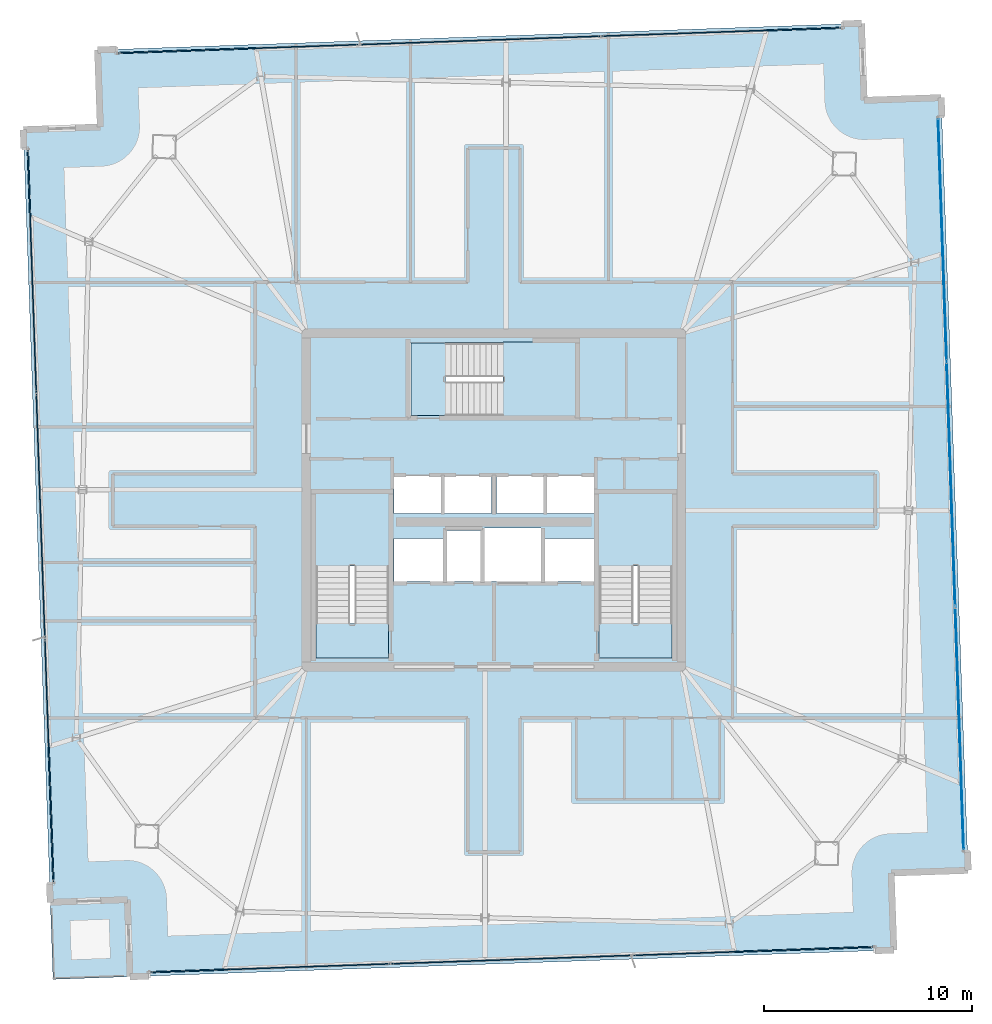
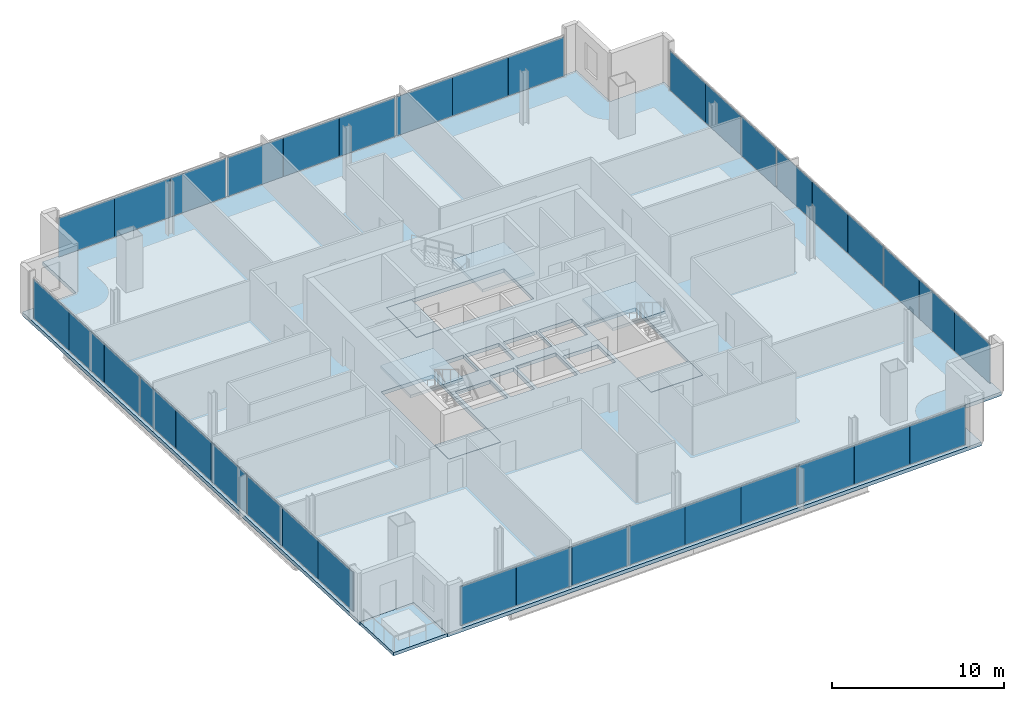
# One storey, part 16 of 23: 36 plates, 8 slabs, 7 elements without a shape of their own.
"""IFC4 building model written with IfcOpenShell, lengths in metres."""

import ifcopenshell
import ifcopenshell.guid

model = None  # the IFC model being written
_history = None  # IfcOwnerHistory: only IFC2X3 demands one
_inside = {}  # id of a spatial element -> (the spatial element, [elements in it])
_under = {}  # id of a project, library or spatial element -> (it, [spatial elements below it])
_declared = {}  # id of a project -> (the project, [libraries it declares])
_typed = {}  # id of a type object -> (the type object, [elements of that type])
_made_of = {}  # id of a material, layer set ... -> (it, [elements and type objects made of it])


def new_model(schema):
    """Start an empty IFC model of exactly this schema.

    Asked for "IFC4X3", IfcOpenShell would pick the latest addendum, in which some entities
    have other attributes; the version numbers below select the first issue.
    IFC2X3 requires an IfcOwnerHistory on every rooted entity: one is made here for all.
    """
    global model, _history
    if schema == "IFC4X3":
        model = ifcopenshell.file(schema_version=(4, 3, 0, 0))
    else:
        model = ifcopenshell.file(schema=schema)
    _inside.clear()
    _under.clear()
    _declared.clear()
    _typed.clear()
    _made_of.clear()
    _history = None
    if model.schema == "IFC2X3":
        org = make("IfcOrganization", Name="unknown")
        user = make(
            "IfcPersonAndOrganization",
            ThePerson=make("IfcPerson", FamilyName="unknown"),
            TheOrganization=org,
        )
        app = make(
            "IfcApplication",
            ApplicationDeveloper=org,
            Version="unknown",
            ApplicationFullName="unknown",
            ApplicationIdentifier="unknown",
        )
        _history = make(
            "IfcOwnerHistory",
            OwningUser=user,
            OwningApplication=app,
            ChangeAction="ADDED",
            CreationDate=0,
        )
    return model


def make(cls, **values):
    """One entity of the class cls with the attributes given. An attribute that is None is left unset."""
    return model.create_entity(
        cls, **{name: value for name, value in values.items() if value is not None}
    )


def rooted(cls, **values):
    """An entity with a GlobalId (a new one), such as an element, a storey or a relation."""
    return make(cls, GlobalId=ifcopenshell.guid.new(), OwnerHistory=_history, **values)


def si_unit(unit_type, name, prefix=None):
    """IfcSIUnit, for example si_unit("LENGTHUNIT", "METRE", prefix="MILLI")."""
    return make("IfcSIUnit", UnitType=unit_type, Prefix=prefix, Name=name)


def assignment(units):
    """IfcUnitAssignment: the units of a project."""
    return None if units is None else make("IfcUnitAssignment", Units=units)


def point(xyz):
    """IfcCartesianPoint."""
    return None if xyz is None else make("IfcCartesianPoint", Coordinates=xyz)


def direction(xyz):
    """IfcDirection."""
    return None if xyz is None else make("IfcDirection", DirectionRatios=xyz)


def frame(location, z_axis=None, x_axis=None):
    """IfcAxis2Placement3D, a coordinate frame: its origin and axes. An axis left out is left unset."""
    return make(
        "IfcAxis2Placement3D",
        Location=point(location),
        Axis=direction(z_axis),
        RefDirection=direction(x_axis),
    )


def frame_2d(location, x_axis=None):
    """IfcAxis2Placement2D, a coordinate frame in the plane: its origin and x axis."""
    return make(
        "IfcAxis2Placement2D", Location=point(location), RefDirection=direction(x_axis)
    )


def origin():
    """The frame at (0, 0, 0) with its axes left unset."""
    return frame((0.0, 0.0, 0.0))


def origin_2d():
    """The frame at (0, 0) in the plane with its x axis left unset."""
    return frame_2d((0.0, 0.0))


def place(relative_to, where):
    """IfcLocalPlacement: puts the frame where relative to a parent placement (None: the world)."""
    return make(
        "IfcLocalPlacement", PlacementRelTo=relative_to, RelativePlacement=where
    )


def context(
    kind, dimensions, precision=None, world=None, true_north=None, identifier=None
):
    """IfcGeometricRepresentationContext, for example the 3D "Model" context."""
    return make(
        "IfcGeometricRepresentationContext",
        ContextIdentifier=identifier,
        ContextType=kind,
        CoordinateSpaceDimension=dimensions,
        Precision=precision,
        WorldCoordinateSystem=world,
        TrueNorth=true_north,
    )


def subcontext(parent, identifier, kind, view, scale=None):
    """IfcGeometricRepresentationSubContext, for example "Body" below "Model"."""
    return make(
        "IfcGeometricRepresentationSubContext",
        ContextIdentifier=identifier,
        ContextType=kind,
        ParentContext=parent,
        TargetScale=scale,
        TargetView=view,
    )


def project(units=None, contexts=None):
    """IfcProject with its units and contexts."""
    return rooted(
        "IfcProject",
        Name="project",
        RepresentationContexts=contexts,
        UnitsInContext=assignment(units),
    )


def spatial(cls, under=None, at=None, **own):
    """A site, building, storey or space (cls), placed at a placement, below another one or the project."""
    s = rooted(cls, ObjectPlacement=at, **own)
    if under is not None:
        _under.setdefault(under.id(), (under, []))[1].append(s)
    return s


def polyline(points):
    """IfcPolyline through the points."""
    return make("IfcPolyline", Points=[point(p) for p in points])


def profile(cls, at=None, kind="AREA", **sizes):
    """A parametric profile (cls). Its sizes go by their IFC names, for example OverallWidth=200.0."""
    return make(cls, ProfileType=kind, Position=at, **sizes)


def rectangle(**sizes):
    """IfcRectangleProfileDef."""
    return profile("IfcRectangleProfileDef", **sizes)


def outline(outer, holes=None, kind="AREA"):
    """IfcArbitraryClosedProfileDef: a profile drawn as a closed curve; with holes, ...WithVoids."""
    if holes is None:
        return make("IfcArbitraryClosedProfileDef", ProfileType=kind, OuterCurve=outer)
    return make(
        "IfcArbitraryProfileDefWithVoids",
        ProfileType=kind,
        OuterCurve=outer,
        InnerCurves=holes,
    )


def extrude(swept, where, along, depth):
    """IfcExtrudedAreaSolid: the profile swept, set in the frame where, extruded along a direction by depth."""
    return make(
        "IfcExtrudedAreaSolid",
        SweptArea=swept,
        Position=where,
        ExtrudedDirection=direction(along),
        Depth=depth,
    )


def shape(context_of_items, identifier, shape_type, items):
    """IfcShapeRepresentation: the items that make up one representation, for example the "Body"."""
    return make(
        "IfcShapeRepresentation",
        ContextOfItems=context_of_items,
        RepresentationIdentifier=identifier,
        RepresentationType=shape_type,
        Items=items,
    )


def source(mapping_origin, context_of_items, identifier, shape_type, items):
    """IfcRepresentationMap: a shape defined once, which mapped items show again and again."""
    return make(
        "IfcRepresentationMap",
        MappingOrigin=mapping_origin,
        MappedRepresentation=shape(context_of_items, identifier, shape_type, items),
    )


def transform(
    local_origin,
    x_axis=None,
    y_axis=None,
    z_axis=None,
    scale=None,
    scale2=None,
    scale3=None,
    uniform=True,
):
    """IfcCartesianTransformationOperator3D, or its non-uniform kind. x_axis, y_axis, z_axis: its Axis1, 2, 3."""
    if uniform:
        return make(
            "IfcCartesianTransformationOperator3D",
            Axis1=direction(x_axis),
            Axis2=direction(y_axis),
            LocalOrigin=point(local_origin),
            Scale=scale,
            Axis3=direction(z_axis),
        )
    return make(
        "IfcCartesianTransformationOperator3DnonUniform",
        Axis1=direction(x_axis),
        Axis2=direction(y_axis),
        LocalOrigin=point(local_origin),
        Scale=scale,
        Axis3=direction(z_axis),
        Scale2=scale2,
        Scale3=scale3,
    )


def mapped(mapping_source, mapping_target):
    """IfcMappedItem: shows the shape of a source again, moved by a transform."""
    return make(
        "IfcMappedItem", MappingSource=mapping_source, MappingTarget=mapping_target
    )


def material(Name=None, Category=None):
    """IfcMaterial."""
    return make("IfcMaterial", Name=Name, Category=Category)


def layer(
    of_material, thickness, ventilated=None, Name=None, Category=None, Priority=None
):
    """IfcMaterialLayer: one layer of a wall or slab, of a material (None: an air gap)."""
    return make(
        "IfcMaterialLayer",
        Material=of_material,
        LayerThickness=thickness,
        IsVentilated=ventilated,
        Name=Name,
        Category=Category,
        Priority=Priority,
    )


def layer_set(layers, Name=None):
    """IfcMaterialLayerSet."""
    return make("IfcMaterialLayerSet", MaterialLayers=layers, LayerSetName=Name)


def made_of(thing, what):
    """Note that an element or type object is made of a material, layer set ...; save() writes the relation."""
    if what is not None:
        _made_of.setdefault(what.id(), (what, []))[1].append(thing)
    return thing


def type_object(cls, material=None, **own):
    """A type object (cls), such as IfcWallType, which elements share."""
    return made_of(rooted(cls, **own), material)


def element(
    cls,
    number,
    at=None,
    inside=None,
    cuts=None,
    type_object=None,
    material=None,
    context=None,
    identifier="Body",
    shape_type=None,
    held_by="IfcProductDefinitionShape",
    body=None,
    shapes=None,
    **own,
):
    """One element of the class cls, such as IfcWall. Its Tag is "e" and its number.

    at: its placement. inside: the storey or other place that contains it. cuts: it is an
    opening in that element (IfcRelVoidsElement). A single representation is given by context,
    identifier, shape_type and body (its items); several are given by shapes. held_by: the class
    of the entity that holds the representations. save() writes the other relations.
    """
    e = rooted(cls, Tag="e%d" % number, ObjectPlacement=at, **own)
    if body is not None:
        shapes = [shape(context, identifier, shape_type, body)]
    if shapes is not None:
        e.Representation = make(held_by, Representations=shapes)
    if inside is not None:
        _inside.setdefault(inside.id(), (inside, []))[1].append(e)
    if cuts is not None:
        rooted(
            "IfcRelVoidsElement", RelatingBuildingElement=cuts, RelatedOpeningElement=e
        )
    if type_object is not None:
        _typed.setdefault(type_object.id(), (type_object, []))[1].append(e)
    return made_of(e, material)


def aggregate(whole, parts):
    """IfcRelAggregates: a whole, such as a stair, and the parts it consists of."""
    return rooted("IfcRelAggregates", RelatingObject=whole, RelatedObjects=parts)


def save(model, path):
    """Write the relations noted so far, then the file.

    IfcRelAggregates (storeys below a building ...), IfcRelContainedInSpatialStructure (elements
    in a storey), IfcRelDefinesByType, IfcRelAssociatesMaterial and IfcRelDeclares: one each for
    every whole, place, type object, material and project.
    """
    for whole, parts in _under.values():
        aggregate(whole, parts)
    for where, things in _inside.values():
        rooted(
            "IfcRelContainedInSpatialStructure",
            RelatedElements=things,
            RelatingStructure=where,
        )
    for kind, things in _typed.values():
        rooted("IfcRelDefinesByType", RelatedObjects=things, RelatingType=kind)
    for what, things in _made_of.values():
        rooted("IfcRelAssociatesMaterial", RelatedObjects=things, RelatingMaterial=what)
    for by, libraries in _declared.values():
        rooted("IfcRelDeclares", RelatingContext=by, RelatedDefinitions=libraries)
    model.write(path)


model = new_model("IFC4")

# Units and contexts
model_context = context("Model", 3, precision=1e-05, world=origin(), true_north=direction((0.0, 1.0)))
body_context = subcontext(model_context, "Body", "Model", "MODEL_VIEW")
ifc_project = project(units=[si_unit("LENGTHUNIT", "METRE"), si_unit("AREAUNIT", "SQUARE_METRE"), si_unit("VOLUMEUNIT", "CUBIC_METRE"), si_unit("PLANEANGLEUNIT", "RADIAN"), si_unit("MASSUNIT", "GRAM", prefix="KILO")], contexts=[model_context])

# Site, building, storey
site_placement = place(None, origin())
site = spatial("IfcSite", under=ifc_project, at=site_placement, CompositionType="ELEMENT")
building_placement = place(site_placement, origin())
building = spatial("IfcBuilding", under=site, at=building_placement, Name="Haldenkirk Collegiate Tower", CompositionType="ELEMENT")
storey_placement = place(building_placement, frame((0.0, 0.0, 336.449951171875)))
storey = spatial("IfcBuildingStorey", under=building, at=storey_placement, Name="L85", CompositionType="ELEMENT", Elevation=336.449951171875)

# Slab
ifc_material_1 = material(Name="Concrete f'c 40 MPa", Category="concrete")
ifc_layer_1 = layer(ifc_material_1, 0.260009765625)
ifc_layer_set_1 = layer_set([ifc_layer_1], Name="Concrete f'c 40 MPa")
slab_type_1 = type_object("IfcSlabType", Name="SLB-FLR-260", PredefinedType="FLOOR", material=ifc_layer_set_1)
slab_1_placement = place(storey_placement, frame((0.0, 0.0, -0.260009765625)))
element("IfcSlab", 1, at=slab_1_placement, inside=storey, type_object=slab_type_1, Name="L85 composite structural floor slab", PredefinedType="FLOOR", context=body_context, shape_type="SweptSolid", body=[
    extrude(outline(polyline([(58.7587890625, 8.2333984375), (57.464111328125, 45.310791015625), (53.766357421875, 45.181640625), (53.63720703125, 48.87939453125), (16.984619140625, 47.599609375), (17.11376953125, 43.90185546875), (13.416015625, 43.772705078125), (14.710693359375, 6.6953125), (18.408447265625, 6.824462890625), (18.53759765625, 3.126708984375), (55.190185546875, 4.406494140625), (55.061279296875, 8.104248046875), (58.7587890625, 8.2333984375)]), holes=[polyline([(27.449951171875, 18.39990234375), (30.949951171875, 18.39990234375), (30.949951171875, 26.300048828125), (27.449951171875, 26.300048828125), (27.449951171875, 18.39990234375)]), polyline([(41.050048828125, 18.39990234375), (44.550048828125, 18.39990234375), (44.550048828125, 26.300048828125), (41.050048828125, 26.300048828125), (41.050048828125, 18.39990234375)]), polyline([(32.0, 30.050048828125), (39.89990234375, 30.050048828125), (39.89990234375, 33.550048828125), (32.0, 33.550048828125), (32.0, 30.050048828125)]), polyline([(33.75, 22.10009765625), (35.35009765625, 22.10009765625), (35.35009765625, 24.550048828125), (33.75, 24.550048828125), (33.75, 22.10009765625)]), polyline([(31.199951171875, 25.35009765625), (33.47998046875, 25.35009765625), (33.47998046875, 27.14990234375), (31.199951171875, 27.14990234375), (31.199951171875, 25.35009765625)]), polyline([(33.60009765625, 25.35009765625), (35.8798828125, 25.35009765625), (35.8798828125, 27.14990234375), (33.60009765625, 27.14990234375), (33.60009765625, 25.35009765625)]), polyline([(36.1201171875, 25.35009765625), (38.39990234375, 25.35009765625), (38.39990234375, 27.14990234375), (36.1201171875, 27.14990234375), (36.1201171875, 25.35009765625)]), polyline([(38.52001953125, 25.35009765625), (40.800048828125, 25.35009765625), (40.800048828125, 27.14990234375), (38.52001953125, 27.14990234375), (38.52001953125, 25.35009765625)]), polyline([(31.199951171875, 22.10009765625), (33.550048828125, 22.10009765625), (33.550048828125, 24.14990234375), (31.199951171875, 24.14990234375), (31.199951171875, 22.10009765625)]), polyline([(38.449951171875, 22.10009765625), (40.800048828125, 22.10009765625), (40.800048828125, 24.14990234375), (38.449951171875, 24.14990234375), (38.449951171875, 22.10009765625)]), polyline([(35.550048828125, 22.10009765625), (38.25, 22.10009765625), (38.25, 24.64990234375), (35.550048828125, 24.64990234375), (35.550048828125, 22.10009765625)])]), origin(), (0.0, 0.0, 1.0), 0.260009765625),
])

# Stair, slab
stair_type = type_object("IfcStairType", Name="STR-DOGLEG-1650", PredefinedType="HALF_TURN_STAIR", material=ifc_material_1)
stair_1_placement = place(storey_placement, origin())
stair_1 = element("IfcStair", 2, at=stair_1_placement, inside=storey, type_object=stair_type, Name="L85 Core Exit Stair ST-1", PredefinedType="HALF_TURN_STAIR")
ifc_layer_2 = layer(ifc_material_1, 0.199951171875)
ifc_layer_set_2 = layer_set([ifc_layer_2], Name="Concrete f'c 40 MPa")
slab_type_2 = type_object("IfcSlabType", Name="SLB-LANDING-200", PredefinedType="LANDING", material=ifc_layer_set_2)
slab_2_placement = place(storey_placement, frame((0.0, 0.0, 1.675048828125)))
slab_2 = element("IfcSlab", 3, at=slab_2_placement, type_object=slab_type_2, Name="ST-1 landing 1", PredefinedType="LANDING", context=body_context, shape_type="SweptSolid", body=[
    extrude(outline(polyline([(30.97509765625, 22.824951171875), (27.425048828125, 22.824951171875), (27.425048828125, 26.324951171875), (30.97509765625, 26.324951171875), (30.97509765625, 22.824951171875)])), origin(), (0.0, 0.0, 1.0), 0.199951171875),
])
aggregate(stair_1, [slab_2])

stair_2_placement = place(storey_placement, origin())
stair_2 = element("IfcStair", 4, at=stair_2_placement, inside=storey, type_object=stair_type, Name="L85 Core Exit Stair ST-2", PredefinedType="HALF_TURN_STAIR")
slab_3_placement = place(storey_placement, frame((0.0, 0.0, 1.675048828125)))
slab_3 = element("IfcSlab", 5, at=slab_3_placement, type_object=slab_type_2, Name="ST-2 landing 1", PredefinedType="LANDING", context=body_context, shape_type="SweptSolid", body=[
    extrude(outline(polyline([(44.574951171875, 22.824951171875), (41.02490234375, 22.824951171875), (41.02490234375, 26.324951171875), (44.574951171875, 26.324951171875), (44.574951171875, 22.824951171875)])), origin(), (0.0, 0.0, 1.0), 0.199951171875),
])
aggregate(stair_2, [slab_3])

stair_3_placement = place(storey_placement, origin())
stair_3 = element("IfcStair", 6, at=stair_3_placement, inside=storey, type_object=stair_type, Name="L85 Core Exit Stair ST-3", PredefinedType="HALF_TURN_STAIR")
slab_4_placement = place(storey_placement, frame((0.0, 0.0, 1.675048828125)))
slab_4 = element("IfcSlab", 7, at=slab_4_placement, type_object=slab_type_2, Name="ST-3 landing 1", PredefinedType="LANDING", context=body_context, shape_type="SweptSolid", body=[
    extrude(outline(polyline([(36.425048828125, 30.02490234375), (36.425048828125, 33.574951171875), (39.925048828125, 33.574951171875), (39.925048828125, 30.02490234375), (36.425048828125, 30.02490234375)])), origin(), (0.0, 0.0, 1.0), 0.199951171875),
])
aggregate(stair_3, [slab_4])

# Slabs
ifc_layer_3 = layer(ifc_material_1, 0.25)
ifc_layer_set_3 = layer_set([ifc_layer_3], Name="Concrete f'c 40 MPa")
slab_type_3 = type_object("IfcSlabType", Name="SLB-STAIRLAND-250", PredefinedType="LANDING", material=ifc_layer_set_3)
slab_5_placement = place(storey_placement, frame((0.0, 0.0, -0.25)))
element("IfcSlab", 8, at=slab_5_placement, inside=storey, type_object=slab_type_3, Name="L85 stair ST1 structural floor landing slab", PredefinedType="LANDING", context=body_context, shape_type="SweptSolid", body=[
    extrude(outline(polyline([(27.4599609375, 18.409912109375), (30.93994140625, 18.409912109375), (30.93994140625, 20.080078125), (27.4599609375, 20.080078125), (27.4599609375, 18.409912109375)])), origin(), (0.0, 0.0, 1.0), 0.25),
])
slab_6_placement = place(storey_placement, frame((0.0, 0.0, -0.25)))
element("IfcSlab", 9, at=slab_6_placement, inside=storey, type_object=slab_type_3, Name="L85 stair ST2 structural floor landing slab", PredefinedType="LANDING", context=body_context, shape_type="SweptSolid", body=[
    extrude(outline(polyline([(41.06005859375, 18.409912109375), (44.5400390625, 18.409912109375), (44.5400390625, 20.080078125), (41.06005859375, 20.080078125), (41.06005859375, 18.409912109375)])), origin(), (0.0, 0.0, 1.0), 0.25),
])
slab_7_placement = place(storey_placement, frame((0.0, 0.0, -0.25)))
element("IfcSlab", 10, at=slab_7_placement, inside=storey, type_object=slab_type_3, Name="L85 stair ST3 structural floor landing slab", PredefinedType="LANDING", context=body_context, shape_type="SweptSolid", body=[
    extrude(outline(polyline([(32.010009765625, 30.06005859375), (33.679931640625, 30.06005859375), (33.679931640625, 33.5400390625), (32.010009765625, 33.5400390625), (32.010009765625, 30.06005859375)])), origin(), (0.0, 0.0, 1.0), 0.25),
])
ifc_layer_4 = layer(ifc_material_1, 0.22998046875)
ifc_layer_set_4 = layer_set([ifc_layer_4], Name="Concrete f'c 40 MPa")
slab_type_4 = type_object("IfcSlabType", Name="SLB-TERR-SPIRAL-230", PredefinedType="FLOOR", material=ifc_layer_set_4)
slab_8_placement = place(storey_placement, frame((0.0, 0.0, -0.22998046875)))
element("IfcSlab", 11, at=slab_8_placement, inside=storey, type_object=slab_type_4, Name="L85 spiralling corner terrace slab", PredefinedType="FLOOR", context=body_context, shape_type="SweptSolid", body=[
    extrude(outline(polyline([(18.53759765625, 3.126708984375), (18.408447265625, 6.824462890625), (14.710693359375, 6.6953125), (14.83984375, 2.99755859375), (18.53759765625, 3.126708984375)])), origin(), (0.0, 0.0, 1.0), 0.22998046875),
])

# Curtain wall, plates
ifc_material_2 = material(Name="Anodised architectural bronze aluminium", Category="aluminium")
curtain_wall_type_1 = type_object("IfcCurtainWallType", Name="CW-SYS2-CONCAVE", PredefinedType="USERDEFINED", material=ifc_material_2)
curtain_wall_1_placement = place(storey_placement, origin())
curtain_wall_1 = element("IfcCurtainWall", 12, at=curtain_wall_1_placement, inside=storey, type_object=curtain_wall_type_1, Name="L85 South concave recessed bronze-anodised curtain wall", ObjectType="UNITISED CURTAIN WALL", PredefinedType="USERDEFINED")
ifc_material_3 = material(Name="Low-E argon triple insulating glass", Category="glass")
ifc_layer_5 = layer(ifc_material_3, 0.0419921875)
ifc_layer_set_5 = layer_set([ifc_layer_5], Name="Low-E argon triple insulating glass")
plate_type_1 = type_object("IfcPlateType", Name="CW-PNL-02", PredefinedType="CURTAIN_PANEL", material=ifc_layer_set_5)
shared_shape_1 = source(origin(), body_context, "Body", "SweptSolid", [
    extrude(rectangle(XDim=3.872314453125, YDim=0.0419921875, at=origin_2d()), origin(), (0.0, 0.0, 1.0), 2.798095703125),
])
plate_1_placement = place(storey_placement, frame((57.3857421875, 42.395263671875, 0.0751953125), z_axis=(0.0, 0.0, 1.0), x_axis=(0.034900943257, -0.999390776503, 0.0)))
plate_1 = element("IfcPlate", 13, at=plate_1_placement, type_object=plate_type_1, Name="CW-02 panel 1.1a", PredefinedType="CURTAIN_PANEL", context=body_context, shape_type="MappedRepresentation", body=[
    mapped(shared_shape_1, transform((0.0, 0.0, 0.0), x_axis=(1.0, 0.0, 0.0), y_axis=(0.0, 1.0, 0.0), z_axis=(0.0, 0.0, 1.0), scale=1.0)),
])
ifc_material_4 = material(Name="Bronze-anodised insulated aluminium spandrel panel", Category="aluminium")
ifc_layer_6 = layer(ifc_material_4, 0.0419921875)
ifc_layer_set_6 = layer_set([ifc_layer_6], Name="Bronze-anodised insulated aluminium spandrel panel")
plate_type_2 = type_object("IfcPlateType", Name="CW-SPD-02", PredefinedType="CURTAIN_PANEL", material=ifc_layer_set_6)
plate_2_placement = place(storey_placement, frame((57.657470703125, 34.617919921875, 0.0751953125), z_axis=(0.0, 0.0, 1.0), x_axis=(0.034900943257, -0.999390776503, 0.0)))
plate_2 = element("IfcPlate", 14, at=plate_2_placement, type_object=plate_type_2, Name="CW-02 spandrel panel 1.1c", PredefinedType="CURTAIN_PANEL", context=body_context, shape_type="MappedRepresentation", body=[
    mapped(shared_shape_1, transform((0.0, 0.0, 0.0), x_axis=(1.0, 0.0, 0.0), y_axis=(0.0, 1.0, 0.0), z_axis=(0.0, 0.0, 1.0), scale=1.0)),
])
plate_3_placement = place(storey_placement, frame((57.931640625, 26.765869140625, 0.0751953125), z_axis=(0.0, 0.0, 1.0), x_axis=(0.034900943257, -0.999390776503, 0.0)))
plate_3 = element("IfcPlate", 15, at=plate_3_placement, type_object=plate_type_1, Name="CW-02 panel 2.1b", PredefinedType="CURTAIN_PANEL", context=body_context, shape_type="MappedRepresentation", body=[
    mapped(shared_shape_1, transform((0.0, 0.0, 0.0), x_axis=(1.0, 0.0, 0.0), y_axis=(0.0, 1.0, 0.0), z_axis=(0.0, 0.0, 1.0), scale=1.0)),
])
plate_4_placement = place(storey_placement, frame((58.205810546875, 18.913818359375, 0.0751953125), z_axis=(0.0, 0.0, 1.0), x_axis=(0.034900943257, -0.999390776503, 0.0)))
plate_4 = element("IfcPlate", 16, at=plate_4_placement, type_object=plate_type_2, Name="CW-02 spandrel panel 3.1a", PredefinedType="CURTAIN_PANEL", context=body_context, shape_type="MappedRepresentation", body=[
    mapped(shared_shape_1, transform((0.0, 0.0, 0.0), x_axis=(1.0, 0.0, 0.0), y_axis=(0.0, 1.0, 0.0), z_axis=(0.0, 0.0, 1.0), scale=1.0)),
])
plate_5_placement = place(storey_placement, frame((58.477294921875, 11.13671875, 0.0751953125), z_axis=(0.0, 0.0, 1.0), x_axis=(0.034900943257, -0.999390776503, 0.0)))
plate_5 = element("IfcPlate", 17, at=plate_5_placement, type_object=plate_type_1, Name="CW-02 panel 3.1c", PredefinedType="CURTAIN_PANEL", context=body_context, shape_type="MappedRepresentation", body=[
    mapped(shared_shape_1, transform((0.0, 0.0, 0.0), x_axis=(1.0, 0.0, 0.0), y_axis=(0.0, 1.0, 0.0), z_axis=(0.0, 0.0, 1.0), scale=1.0)),
])
shared_shape_2 = source(origin(), body_context, "Body", "SweptSolid", [
    extrude(rectangle(XDim=3.859619140625, YDim=0.0419921875, at=origin_2d()), origin(), (0.0, 0.0, 1.0), 2.798095703125),
])
plate_6_placement = place(storey_placement, frame((57.521484375, 38.506591796875, 0.0751953125), z_axis=(0.0, 0.0, 1.0), x_axis=(0.034900943257, -0.999390776503, 0.0)))
plate_6 = element("IfcPlate", 18, at=plate_6_placement, type_object=plate_type_1, Name="CW-02 panel 1.1b", PredefinedType="CURTAIN_PANEL", context=body_context, shape_type="MappedRepresentation", body=[
    mapped(shared_shape_2, transform((0.0, 0.0, 0.0), x_axis=(1.0, 0.0, 0.0), y_axis=(0.0, 1.0, 0.0), z_axis=(0.0, 0.0, 1.0), scale=1.0)),
])
plate_7_placement = place(storey_placement, frame((58.341552734375, 15.025146484375, 0.0751953125), z_axis=(0.0, 0.0, 1.0), x_axis=(0.034900943257, -0.999390776503, 0.0)))
plate_7 = element("IfcPlate", 19, at=plate_7_placement, type_object=plate_type_2, Name="CW-02 spandrel panel 3.1b", PredefinedType="CURTAIN_PANEL", context=body_context, shape_type="MappedRepresentation", body=[
    mapped(shared_shape_2, transform((0.0, 0.0, 0.0), x_axis=(1.0, 0.0, 0.0), y_axis=(0.0, 1.0, 0.0), z_axis=(0.0, 0.0, 1.0), scale=1.0)),
])
shared_shape_3 = source(origin(), body_context, "Body", "SweptSolid", [
    extrude(rectangle(XDim=3.884765625, YDim=0.0419921875, at=origin_2d()), origin(), (0.0, 0.0, 1.0), 2.798095703125),
])
plate_8_placement = place(storey_placement, frame((57.79541015625, 30.6669921875, 0.0751953125), z_axis=(0.0, 0.0, 1.0), x_axis=(0.034900943257, -0.999390776503, 0.0)))
plate_8 = element("IfcPlate", 20, at=plate_8_placement, type_object=plate_type_2, Name="CW-02 spandrel panel 2.1a", PredefinedType="CURTAIN_PANEL", context=body_context, shape_type="MappedRepresentation", body=[
    mapped(shared_shape_3, transform((0.0, 0.0, 0.0), x_axis=(1.0, 0.0, 0.0), y_axis=(0.0, 1.0, 0.0), z_axis=(0.0, 0.0, 1.0), scale=1.0)),
])
plate_9_placement = place(storey_placement, frame((58.06787109375, 22.86474609375, 0.0751953125), z_axis=(0.0, 0.0, 1.0), x_axis=(0.034900943257, -0.999390776503, 0.0)))
plate_9 = element("IfcPlate", 21, at=plate_9_placement, type_object=plate_type_2, Name="CW-02 spandrel panel 2.1c", PredefinedType="CURTAIN_PANEL", context=body_context, shape_type="MappedRepresentation", body=[
    mapped(shared_shape_3, transform((0.0, 0.0, 0.0), x_axis=(1.0, 0.0, 0.0), y_axis=(0.0, 1.0, 0.0), z_axis=(0.0, 0.0, 1.0), scale=1.0)),
])
aggregate(curtain_wall_1, [plate_1, plate_6, plate_2, plate_8, plate_3, plate_9, plate_4, plate_7, plate_5])

curtain_wall_type_2 = type_object("IfcCurtainWallType", Name="CW-SYS1B-CONVEX-HI", PredefinedType="USERDEFINED", material=ifc_material_2)
curtain_wall_2_placement = place(storey_placement, origin())
curtain_wall_2 = element("IfcCurtainWall", 22, at=curtain_wall_2_placement, inside=storey, type_object=curtain_wall_type_2, Name="L85 Upper tower high-wind convex bronze unitised curtain wall", ObjectType="UNITISED CURTAIN WALL", PredefinedType="USERDEFINED")
ifc_layer_7 = layer(ifc_material_3, 0.048095703125)
ifc_layer_set_7 = layer_set([ifc_layer_7], Name="Low-E argon triple insulating glass")
plate_type_3 = type_object("IfcPlateType", Name="CW-PNL-1B", PredefinedType="CURTAIN_PANEL", material=ifc_layer_set_7)
shared_shape_4 = source(origin(), body_context, "Body", "SweptSolid", [
    extrude(rectangle(XDim=3.820068359375, YDim=0.048095703125, at=origin_2d()), origin(), (0.0, 0.0, 1.0), 2.778076171875),
])
plate_10_placement = place(storey_placement, frame((19.88427734375, 47.5205078125, 0.0849609375), z_axis=(0.0, 0.0, 1.0), x_axis=(0.999390745032, 0.034901844415, 0.0)))
plate_10 = element("IfcPlate", 23, at=plate_10_placement, type_object=plate_type_3, Name="CW-1B panel 1.1a", PredefinedType="CURTAIN_PANEL", context=body_context, shape_type="MappedRepresentation", body=[
    mapped(shared_shape_4, transform((0.0, 0.0, 0.0), x_axis=(1.0, 0.0, 0.0), y_axis=(0.0, 1.0, 0.0), z_axis=(0.0, 0.0, 1.0), scale=1.0)),
])
ifc_layer_8 = layer(ifc_material_4, 0.048095703125)
ifc_layer_set_8 = layer_set([ifc_layer_8], Name="Bronze-anodised insulated aluminium spandrel panel")
plate_type_4 = type_object("IfcPlateType", Name="CW-SPD-1B", PredefinedType="CURTAIN_PANEL", material=ifc_layer_set_8)
plate_11_placement = place(storey_placement, frame((27.556884765625, 47.78857421875, 0.0849609375), z_axis=(0.0, 0.0, 1.0), x_axis=(0.999390745032, 0.034901844415, 0.0)))
plate_11 = element("IfcPlate", 24, at=plate_11_placement, type_object=plate_type_4, Name="CW-1B spandrel panel 1.1c", PredefinedType="CURTAIN_PANEL", context=body_context, shape_type="MappedRepresentation", body=[
    mapped(shared_shape_4, transform((0.0, 0.0, 0.0), x_axis=(1.0, 0.0, 0.0), y_axis=(0.0, 1.0, 0.0), z_axis=(0.0, 0.0, 1.0), scale=1.0)),
])
plate_12_placement = place(storey_placement, frame((43.077392578125, 48.33056640625, 0.0849609375), z_axis=(0.0, 0.0, 1.0), x_axis=(0.999390745032, 0.034901844415, 0.0)))
plate_12 = element("IfcPlate", 25, at=plate_12_placement, type_object=plate_type_4, Name="CW-1B spandrel panel 3.1a", PredefinedType="CURTAIN_PANEL", context=body_context, shape_type="MappedRepresentation", body=[
    mapped(shared_shape_4, transform((0.0, 0.0, 0.0), x_axis=(1.0, 0.0, 0.0), y_axis=(0.0, 1.0, 0.0), z_axis=(0.0, 0.0, 1.0), scale=1.0)),
])
plate_13_placement = place(storey_placement, frame((50.750244140625, 48.5986328125, 0.0849609375), z_axis=(0.0, 0.0, 1.0), x_axis=(0.999390745032, 0.034901844415, 0.0)))
plate_13 = element("IfcPlate", 26, at=plate_13_placement, type_object=plate_type_3, Name="CW-1B panel 3.1c", PredefinedType="CURTAIN_PANEL", context=body_context, shape_type="MappedRepresentation", body=[
    mapped(shared_shape_4, transform((0.0, 0.0, 0.0), x_axis=(1.0, 0.0, 0.0), y_axis=(0.0, 1.0, 0.0), z_axis=(0.0, 0.0, 1.0), scale=1.0)),
])

curtain_wall_3_placement = place(storey_placement, origin())
curtain_wall_3 = element("IfcCurtainWall", 27, at=curtain_wall_3_placement, inside=storey, type_object=curtain_wall_type_2, Name="L85 Upper tower high-wind convex bronze unitised curtain wall", ObjectType="UNITISED CURTAIN WALL", PredefinedType="USERDEFINED")
plate_14_placement = place(storey_placement, frame((52.290771484375, 4.485595703125, 0.0849609375), z_axis=(0.0, 0.0, 1.0), x_axis=(-0.999390745032, -0.034901844415, 0.0)))
plate_14 = element("IfcPlate", 28, at=plate_14_placement, type_object=plate_type_3, Name="CW-1B panel 1.1a", PredefinedType="CURTAIN_PANEL", context=body_context, shape_type="MappedRepresentation", body=[
    mapped(shared_shape_4, transform((0.0, 0.0, 0.0), x_axis=(1.0, 0.0, 0.0), y_axis=(0.0, 1.0, 0.0), z_axis=(0.0, 0.0, 1.0), scale=1.0)),
])
plate_15_placement = place(storey_placement, frame((44.617919921875, 4.217529296875, 0.0849609375), z_axis=(0.0, 0.0, 1.0), x_axis=(-0.999390745032, -0.034901844415, 0.0)))
plate_15 = element("IfcPlate", 29, at=plate_15_placement, type_object=plate_type_4, Name="CW-1B spandrel panel 1.1c", PredefinedType="CURTAIN_PANEL", context=body_context, shape_type="MappedRepresentation", body=[
    mapped(shared_shape_4, transform((0.0, 0.0, 0.0), x_axis=(1.0, 0.0, 0.0), y_axis=(0.0, 1.0, 0.0), z_axis=(0.0, 0.0, 1.0), scale=1.0)),
])
plate_16_placement = place(storey_placement, frame((29.097412109375, 3.675537109375, 0.0849609375), z_axis=(0.0, 0.0, 1.0), x_axis=(-0.999390745032, -0.034901844415, 0.0)))
plate_16 = element("IfcPlate", 30, at=plate_16_placement, type_object=plate_type_4, Name="CW-1B spandrel panel 3.1a", PredefinedType="CURTAIN_PANEL", context=body_context, shape_type="MappedRepresentation", body=[
    mapped(shared_shape_4, transform((0.0, 0.0, 0.0), x_axis=(1.0, 0.0, 0.0), y_axis=(0.0, 1.0, 0.0), z_axis=(0.0, 0.0, 1.0), scale=1.0)),
])
plate_17_placement = place(storey_placement, frame((21.424560546875, 3.407470703125, 0.0849609375), z_axis=(0.0, 0.0, 1.0), x_axis=(-0.999390745032, -0.034901844415, 0.0)))
plate_17 = element("IfcPlate", 31, at=plate_17_placement, type_object=plate_type_3, Name="CW-1B panel 3.1c", PredefinedType="CURTAIN_PANEL", context=body_context, shape_type="MappedRepresentation", body=[
    mapped(shared_shape_4, transform((0.0, 0.0, 0.0), x_axis=(1.0, 0.0, 0.0), y_axis=(0.0, 1.0, 0.0), z_axis=(0.0, 0.0, 1.0), scale=1.0)),
])

# Plate
shared_shape_5 = source(origin(), body_context, "Body", "SweptSolid", [
    extrude(rectangle(XDim=3.8076171875, YDim=0.048095703125, at=origin_2d()), origin(), (0.0, 0.0, 1.0), 2.778076171875),
])
plate_18_placement = place(storey_placement, frame((23.720703125, 47.654541015625, 0.0849609375), z_axis=(0.0, 0.0, 1.0), x_axis=(0.999390745032, 0.034901844415, 0.0)))
plate_18 = element("IfcPlate", 32, at=plate_18_placement, type_object=plate_type_3, Name="CW-1B panel 1.1b", PredefinedType="CURTAIN_PANEL", context=body_context, shape_type="MappedRepresentation", body=[
    mapped(shared_shape_5, transform((0.0, 0.0, 0.0), x_axis=(1.0, 0.0, 0.0), y_axis=(0.0, 1.0, 0.0), z_axis=(0.0, 0.0, 1.0), scale=1.0)),
])

plate_19_placement = place(storey_placement, frame((46.913818359375, 48.464599609375, 0.0849609375), z_axis=(0.0, 0.0, 1.0), x_axis=(0.999390745032, 0.034901844415, 0.0)))
plate_19 = element("IfcPlate", 33, at=plate_19_placement, type_object=plate_type_3, Name="CW-1B panel 3.1b", PredefinedType="CURTAIN_PANEL", context=body_context, shape_type="MappedRepresentation", body=[
    mapped(shared_shape_5, transform((0.0, 0.0, 0.0), x_axis=(1.0, 0.0, 0.0), y_axis=(0.0, 1.0, 0.0), z_axis=(0.0, 0.0, 1.0), scale=1.0)),
])

plate_20_placement = place(storey_placement, frame((48.454345703125, 4.3515625, 0.0849609375), z_axis=(0.0, 0.0, 1.0), x_axis=(-0.999390745032, -0.034901844415, 0.0)))
plate_20 = element("IfcPlate", 34, at=plate_20_placement, type_object=plate_type_3, Name="CW-1B panel 1.1b", PredefinedType="CURTAIN_PANEL", context=body_context, shape_type="MappedRepresentation", body=[
    mapped(shared_shape_5, transform((0.0, 0.0, 0.0), x_axis=(1.0, 0.0, 0.0), y_axis=(0.0, 1.0, 0.0), z_axis=(0.0, 0.0, 1.0), scale=1.0)),
])

plate_21_placement = place(storey_placement, frame((25.260986328125, 3.54150390625, 0.0849609375), z_axis=(0.0, 0.0, 1.0), x_axis=(-0.999390745032, -0.034901844415, 0.0)))
plate_21 = element("IfcPlate", 35, at=plate_21_placement, type_object=plate_type_3, Name="CW-1B panel 3.1b", PredefinedType="CURTAIN_PANEL", context=body_context, shape_type="MappedRepresentation", body=[
    mapped(shared_shape_5, transform((0.0, 0.0, 0.0), x_axis=(1.0, 0.0, 0.0), y_axis=(0.0, 1.0, 0.0), z_axis=(0.0, 0.0, 1.0), scale=1.0)),
])

shared_shape_6 = source(origin(), body_context, "Body", "SweptSolid", [
    extrude(rectangle(XDim=3.834228515625, YDim=0.048095703125, at=origin_2d()), origin(), (0.0, 0.0, 1.0), 2.778076171875),
])
plate_22_placement = place(storey_placement, frame((31.466796875, 47.925048828125, 0.0849609375), z_axis=(0.0, 0.0, 1.0), x_axis=(0.999390745032, 0.034901844415, 0.0)))
plate_22 = element("IfcPlate", 36, at=plate_22_placement, type_object=plate_type_4, Name="CW-1B spandrel panel 2.1a", PredefinedType="CURTAIN_PANEL", context=body_context, shape_type="MappedRepresentation", body=[
    mapped(shared_shape_6, transform((0.0, 0.0, 0.0), x_axis=(1.0, 0.0, 0.0), y_axis=(0.0, 1.0, 0.0), z_axis=(0.0, 0.0, 1.0), scale=1.0)),
])

plate_23_placement = place(storey_placement, frame((39.167724609375, 48.194091796875, 0.0849609375), z_axis=(0.0, 0.0, 1.0), x_axis=(0.999390745032, 0.034901844415, 0.0)))
plate_23 = element("IfcPlate", 37, at=plate_23_placement, type_object=plate_type_4, Name="CW-1B spandrel panel 2.1c", PredefinedType="CURTAIN_PANEL", context=body_context, shape_type="MappedRepresentation", body=[
    mapped(shared_shape_6, transform((0.0, 0.0, 0.0), x_axis=(1.0, 0.0, 0.0), y_axis=(0.0, 1.0, 0.0), z_axis=(0.0, 0.0, 1.0), scale=1.0)),
])

plate_24_placement = place(storey_placement, frame((40.708251953125, 4.0810546875, 0.0849609375), z_axis=(0.0, 0.0, 1.0), x_axis=(-0.999390745032, -0.034901844415, 0.0)))
plate_24 = element("IfcPlate", 38, at=plate_24_placement, type_object=plate_type_4, Name="CW-1B spandrel panel 2.1a", PredefinedType="CURTAIN_PANEL", context=body_context, shape_type="MappedRepresentation", body=[
    mapped(shared_shape_6, transform((0.0, 0.0, 0.0), x_axis=(1.0, 0.0, 0.0), y_axis=(0.0, 1.0, 0.0), z_axis=(0.0, 0.0, 1.0), scale=1.0)),
])

plate_25_placement = place(storey_placement, frame((33.007080078125, 3.81201171875, 0.0849609375), z_axis=(0.0, 0.0, 1.0), x_axis=(-0.999390745032, -0.034901844415, 0.0)))
plate_25 = element("IfcPlate", 39, at=plate_25_placement, type_object=plate_type_4, Name="CW-1B spandrel panel 2.1c", PredefinedType="CURTAIN_PANEL", context=body_context, shape_type="MappedRepresentation", body=[
    mapped(shared_shape_6, transform((0.0, 0.0, 0.0), x_axis=(1.0, 0.0, 0.0), y_axis=(0.0, 1.0, 0.0), z_axis=(0.0, 0.0, 1.0), scale=1.0)),
])

shared_shape_7 = source(origin(), body_context, "Body", "SweptSolid", [
    extrude(rectangle(XDim=3.82177734375, YDim=0.048095703125, at=origin_2d()), origin(), (0.0, 0.0, 1.0), 2.778076171875),
])
plate_26_placement = place(storey_placement, frame((35.317138671875, 48.0595703125, 0.0849609375), z_axis=(0.0, 0.0, 1.0), x_axis=(0.999390745032, 0.034901844415, 0.0)))
plate_26 = element("IfcPlate", 40, at=plate_26_placement, type_object=plate_type_3, Name="CW-1B panel 2.1b", PredefinedType="CURTAIN_PANEL", context=body_context, shape_type="MappedRepresentation", body=[
    mapped(shared_shape_7, transform((0.0, 0.0, 0.0), x_axis=(1.0, 0.0, 0.0), y_axis=(0.0, 1.0, 0.0), z_axis=(0.0, 0.0, 1.0), scale=1.0)),
])

aggregate(curtain_wall_2, [plate_10, plate_18, plate_11, plate_22, plate_26, plate_23, plate_12, plate_19, plate_13])

plate_27_placement = place(storey_placement, frame((36.857666015625, 3.946533203125, 0.0849609375), z_axis=(0.0, 0.0, 1.0), x_axis=(-0.999390745032, -0.034901844415, 0.0)))
plate_27 = element("IfcPlate", 41, at=plate_27_placement, type_object=plate_type_3, Name="CW-1B panel 2.1b", PredefinedType="CURTAIN_PANEL", context=body_context, shape_type="MappedRepresentation", body=[
    mapped(shared_shape_7, transform((0.0, 0.0, 0.0), x_axis=(1.0, 0.0, 0.0), y_axis=(0.0, 1.0, 0.0), z_axis=(0.0, 0.0, 1.0), scale=1.0)),
])

aggregate(curtain_wall_3, [plate_14, plate_20, plate_15, plate_24, plate_27, plate_25, plate_16, plate_21, plate_17])

# Curtain wall, plates
curtain_wall_4_placement = place(storey_placement, origin())
curtain_wall_4 = element("IfcCurtainWall", 42, at=curtain_wall_4_placement, inside=storey, type_object=curtain_wall_type_2, Name="L85 Upper tower high-wind convex bronze unitised curtain wall", ObjectType="UNITISED CURTAIN WALL", PredefinedType="USERDEFINED")
shared_shape_8 = source(origin(), body_context, "Body", "SweptSolid", [
    extrude(rectangle(XDim=3.8671875, YDim=0.048095703125, at=origin_2d()), origin(), (0.0, 0.0, 1.0), 2.778076171875),
])
plate_28_placement = place(storey_placement, frame((14.788818359375, 9.618408203125, 0.0849609375), z_axis=(0.0, 0.0, 1.0), x_axis=(-0.034900943257, 0.999390776503, 0.0)))
plate_28 = element("IfcPlate", 43, at=plate_28_placement, type_object=plate_type_3, Name="CW-1B panel 1.1a", PredefinedType="CURTAIN_PANEL", context=body_context, shape_type="MappedRepresentation", body=[
    mapped(shared_shape_8, transform((0.0, 0.0, 0.0), x_axis=(1.0, 0.0, 0.0), y_axis=(0.0, 1.0, 0.0), z_axis=(0.0, 0.0, 1.0), scale=1.0)),
])
plate_29_placement = place(storey_placement, frame((14.517578125, 17.3857421875, 0.0849609375), z_axis=(0.0, 0.0, 1.0), x_axis=(-0.034900943257, 0.999390776503, 0.0)))
plate_29 = element("IfcPlate", 44, at=plate_29_placement, type_object=plate_type_4, Name="CW-1B spandrel panel 1.1c", PredefinedType="CURTAIN_PANEL", context=body_context, shape_type="MappedRepresentation", body=[
    mapped(shared_shape_8, transform((0.0, 0.0, 0.0), x_axis=(1.0, 0.0, 0.0), y_axis=(0.0, 1.0, 0.0), z_axis=(0.0, 0.0, 1.0), scale=1.0)),
])
plate_30_placement = place(storey_placement, frame((13.968994140625, 33.094970703125, 0.0849609375), z_axis=(0.0, 0.0, 1.0), x_axis=(-0.034900943257, 0.999390776503, 0.0)))
plate_30 = element("IfcPlate", 45, at=plate_30_placement, type_object=plate_type_4, Name="CW-1B spandrel panel 3.1a", PredefinedType="CURTAIN_PANEL", context=body_context, shape_type="MappedRepresentation", body=[
    mapped(shared_shape_8, transform((0.0, 0.0, 0.0), x_axis=(1.0, 0.0, 0.0), y_axis=(0.0, 1.0, 0.0), z_axis=(0.0, 0.0, 1.0), scale=1.0)),
])
plate_31_placement = place(storey_placement, frame((13.69775390625, 40.862060546875, 0.0849609375), z_axis=(0.0, 0.0, 1.0), x_axis=(-0.034900943257, 0.999390776503, 0.0)))
plate_31 = element("IfcPlate", 46, at=plate_31_placement, type_object=plate_type_3, Name="CW-1B panel 3.1c", PredefinedType="CURTAIN_PANEL", context=body_context, shape_type="MappedRepresentation", body=[
    mapped(shared_shape_8, transform((0.0, 0.0, 0.0), x_axis=(1.0, 0.0, 0.0), y_axis=(0.0, 1.0, 0.0), z_axis=(0.0, 0.0, 1.0), scale=1.0)),
])
shared_shape_9 = source(origin(), body_context, "Body", "SweptSolid", [
    extrude(rectangle(XDim=3.854736328125, YDim=0.048095703125, at=origin_2d()), origin(), (0.0, 0.0, 1.0), 2.778076171875),
])
plate_32_placement = place(storey_placement, frame((14.6533203125, 13.502197265625, 0.0849609375), z_axis=(0.0, 0.0, 1.0), x_axis=(-0.034900943257, 0.999390776503, 0.0)))
plate_32 = element("IfcPlate", 47, at=plate_32_placement, type_object=plate_type_3, Name="CW-1B panel 1.1b", PredefinedType="CURTAIN_PANEL", context=body_context, shape_type="MappedRepresentation", body=[
    mapped(shared_shape_9, transform((0.0, 0.0, 0.0), x_axis=(1.0, 0.0, 0.0), y_axis=(0.0, 1.0, 0.0), z_axis=(0.0, 0.0, 1.0), scale=1.0)),
])
plate_33_placement = place(storey_placement, frame((13.83349609375, 36.978515625, 0.0849609375), z_axis=(0.0, 0.0, 1.0), x_axis=(-0.034900943257, 0.999390776503, 0.0)))
plate_33 = element("IfcPlate", 48, at=plate_33_placement, type_object=plate_type_4, Name="CW-1B spandrel panel 3.1b", PredefinedType="CURTAIN_PANEL", context=body_context, shape_type="MappedRepresentation", body=[
    mapped(shared_shape_9, transform((0.0, 0.0, 0.0), x_axis=(1.0, 0.0, 0.0), y_axis=(0.0, 1.0, 0.0), z_axis=(0.0, 0.0, 1.0), scale=1.0)),
])
shared_shape_10 = source(origin(), body_context, "Body", "SweptSolid", [
    extrude(rectangle(XDim=3.88134765625, YDim=0.048095703125, at=origin_2d()), origin(), (0.0, 0.0, 1.0), 2.778076171875),
])
plate_34_placement = place(storey_placement, frame((14.37939453125, 21.342529296875, 0.0849609375), z_axis=(0.0, 0.0, 1.0), x_axis=(-0.034900943257, 0.999390776503, 0.0)))
plate_34 = element("IfcPlate", 49, at=plate_34_placement, type_object=plate_type_4, Name="CW-1B spandrel panel 2.1a", PredefinedType="CURTAIN_PANEL", context=body_context, shape_type="MappedRepresentation", body=[
    mapped(shared_shape_10, transform((0.0, 0.0, 0.0), x_axis=(1.0, 0.0, 0.0), y_axis=(0.0, 1.0, 0.0), z_axis=(0.0, 0.0, 1.0), scale=1.0)),
])
plate_35_placement = place(storey_placement, frame((14.107177734375, 29.13818359375, 0.0849609375), z_axis=(0.0, 0.0, 1.0), x_axis=(-0.034900943257, 0.999390776503, 0.0)))
plate_35 = element("IfcPlate", 50, at=plate_35_placement, type_object=plate_type_4, Name="CW-1B spandrel panel 2.1c", PredefinedType="CURTAIN_PANEL", context=body_context, shape_type="MappedRepresentation", body=[
    mapped(shared_shape_10, transform((0.0, 0.0, 0.0), x_axis=(1.0, 0.0, 0.0), y_axis=(0.0, 1.0, 0.0), z_axis=(0.0, 0.0, 1.0), scale=1.0)),
])
shared_shape_11 = source(origin(), body_context, "Body", "SweptSolid", [
    extrude(rectangle(XDim=3.868896484375, YDim=0.048095703125, at=origin_2d()), origin(), (0.0, 0.0, 1.0), 2.778076171875),
])
plate_36_placement = place(storey_placement, frame((14.243408203125, 25.240234375, 0.0849609375), z_axis=(0.0, 0.0, 1.0), x_axis=(-0.034900943257, 0.999390776503, 0.0)))
plate_36 = element("IfcPlate", 51, at=plate_36_placement, type_object=plate_type_3, Name="CW-1B panel 2.1b", PredefinedType="CURTAIN_PANEL", context=body_context, shape_type="MappedRepresentation", body=[
    mapped(shared_shape_11, transform((0.0, 0.0, 0.0), x_axis=(1.0, 0.0, 0.0), y_axis=(0.0, 1.0, 0.0), z_axis=(0.0, 0.0, 1.0), scale=1.0)),
])
aggregate(curtain_wall_4, [plate_28, plate_32, plate_29, plate_34, plate_36, plate_35, plate_30, plate_33, plate_31])

save(model, "model.ifc")
